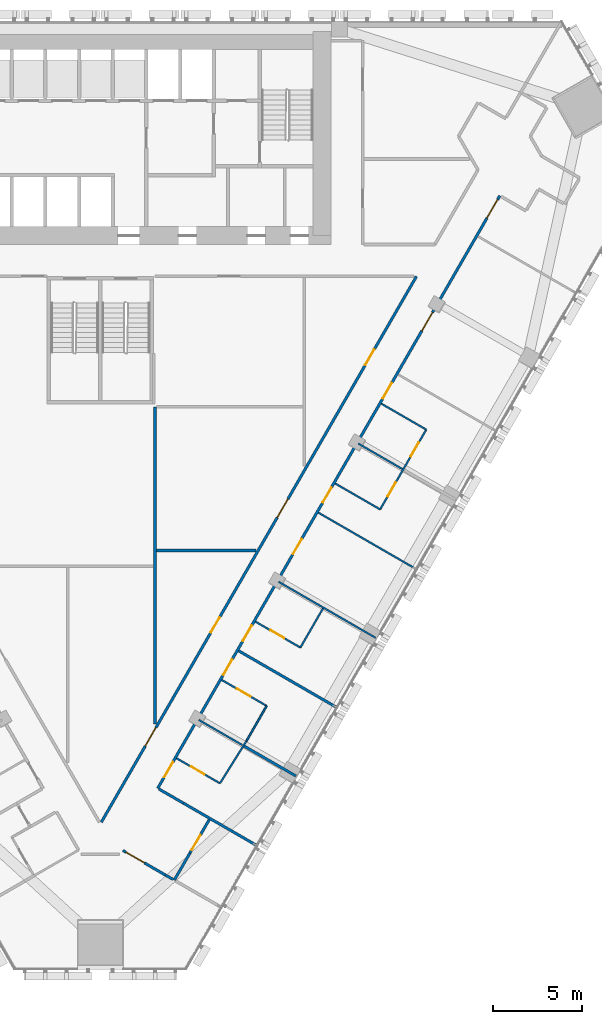
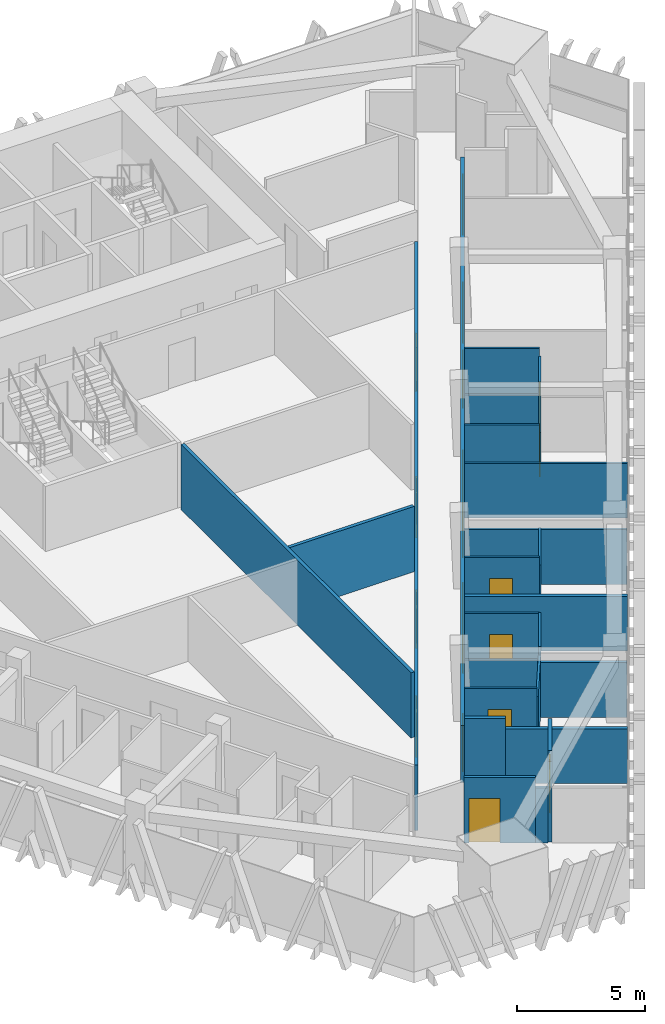
# One storey, part 11 of 18: 25 walls, 19 doors, 19 openings.
"""IFC4 building model written with IfcOpenShell, lengths in metres."""

from ifc_helpers import new_model, si_unit, direction, frame, frame_2d, origin, place, context, subcontext, project, spatial, rectangle, extrude, material, layer, layer_set, type_object, element, fill, save


model = new_model("IFC4")

# Units and contexts
model_context = context("Model", 3, precision=1e-05, world=origin(), true_north=direction((0.0, 1.0)))
body_context = subcontext(model_context, "Body", "Model", "MODEL_VIEW")
ifc_project = project(units=[si_unit("LENGTHUNIT", "METRE"), si_unit("AREAUNIT", "SQUARE_METRE"), si_unit("VOLUMEUNIT", "CUBIC_METRE"), si_unit("PLANEANGLEUNIT", "RADIAN"), si_unit("MASSUNIT", "GRAM", prefix="KILO")], contexts=[model_context])

# Site, building, storey
site_placement = place(None, origin())
site = spatial("IfcSite", under=ifc_project, at=site_placement, CompositionType="ELEMENT")
building_placement = place(site_placement, origin())
building = spatial("IfcBuilding", under=site, at=building_placement, Name="Altiplano Prism Tower", CompositionType="ELEMENT")
storey_placement = place(building_placement, frame((0.0, 0.0, 41.39990234375)))
storey = spatial("IfcBuildingStorey", under=building, at=storey_placement, Name="L09", CompositionType="ELEMENT", Elevation=41.39990234375)

# Wall
ifc_material_1 = material(Name="Plasterboard on steel stud", Category="steel")
ifc_layer_1 = layer(ifc_material_1, 0.10009765625)
ifc_layer_set_1 = layer_set([ifc_layer_1], Name="Plasterboard on steel stud")
wall_type_1 = type_object("IfcWallType", Name="Partition 100 unit", PredefinedType="PARTITIONING", material=ifc_layer_set_1)
wall_1_placement = place(storey_placement, frame((93.235595703125, 64.37255859375, 0.0), z_axis=(0.0, 0.0, 1.0), x_axis=(-0.530664542771, -0.847581938839, 0.0)))
element("IfcWall", 1, at=wall_1_placement, inside=storey, type_object=wall_type_1, Name="Partition P02 L09 085", PredefinedType="PARTITIONING", context=body_context, shape_type="SweptSolid", body=[
    extrude(rectangle(XDim=2.8017578125, YDim=0.10009765625, at=frame_2d((1.40087890625, 0.0))), origin(), (0.0, 0.0, 1.0), 2.7001953125),
])

# Wall, opening, door
wall_2_placement = place(storey_placement, frame((91.748779296875, 61.997802734375, 0.0), z_axis=(0.0, 0.0, 1.0), x_axis=(-0.866048868473, 0.499959355765, 0.0)))
wall_2 = element("IfcWall", 2, at=wall_2_placement, inside=storey, type_object=wall_type_1, Name="Partition P02 L09 086", PredefinedType="PARTITIONING", context=body_context, shape_type="SweptSolid", body=[
    extrude(rectangle(XDim=2.824951171875, YDim=0.10009765625, at=frame_2d((1.41259765625, 0.0))), origin(), (0.0, 0.0, 1.0), 3.10009765625),
])
opening_1_placement = place(wall_2_placement, frame((1.0, 0.0, 0.0)))
opening_1 = element("IfcOpeningElement", 3, at=opening_1_placement, cuts=wall_2, Name="Opening D0347", PredefinedType="OPENING", context=body_context, shape_type="SweptSolid", body=[
    extrude(rectangle(XDim=0.89990234375, YDim=2.10009765625, at=frame_2d((0.449951171875, 1.050048828125))), frame((0.0, 0.060546875, 0.0), z_axis=(0.0, -1.0, 0.0), x_axis=(1.0, 0.0, 0.0)), (0.0, 0.0, 1.0), 0.12109375),
])
ifc_material_2 = material(Name="Timber", Category="wood")
door_type_1 = type_object("IfcDoorType", Name="Ensuite door 900 x 2100", OperationType="NOTDEFINED", PredefinedType="NOTDEFINED", material=ifc_material_2)
door_1_placement = place(opening_1_placement, origin())
door_1 = element("IfcDoor", 4, at=door_1_placement, inside=storey, type_object=door_type_1, Name="Door D0347", OperationType="SINGLE_SWING_LEFT", OverallHeight=2.10009765625, OverallWidth=0.89990234375, PredefinedType="NOTDEFINED", context=body_context, shape_type="SweptSolid", body=[
    extrude(rectangle(XDim=0.89990234375, YDim=2.10009765625, at=frame_2d((0.449951171875, 1.050048828125))), frame((0.0, 0.02490234375, 0.0), z_axis=(0.0, -1.0, 0.0), x_axis=(1.0, 0.0, 0.0)), (0.0, 0.0, 1.0), 0.050048828125),
])
fill(opening_1, door_1)

wall_3_placement = place(storey_placement, frame((91.852294921875, 67.826904296875, 0.0), z_axis=(0.0, 0.0, 1.0), x_axis=(0.866046596414, -0.499963291492, 0.0)))
wall_3 = element("IfcWall", 5, at=wall_3_placement, inside=storey, type_object=wall_type_1, Name="Partition P02 L09 089", PredefinedType="PARTITIONING", context=body_context, shape_type="SweptSolid", body=[
    extrude(rectangle(XDim=2.925048828125, YDim=0.10009765625, at=frame_2d((1.46240234375, 0.0))), origin(), (0.0, 0.0, 1.0), 3.10009765625),
])
opening_2_placement = place(wall_3_placement, frame((0.97509765625, 0.0, 0.0)))
opening_2 = element("IfcOpeningElement", 6, at=opening_2_placement, cuts=wall_3, Name="Opening D0349", PredefinedType="OPENING", context=body_context, shape_type="SweptSolid", body=[
    extrude(rectangle(XDim=0.89990234375, YDim=2.10009765625, at=frame_2d((0.449951171875, 1.050048828125))), frame((0.0, 0.060546875, 0.0), z_axis=(0.0, -1.0, 0.0), x_axis=(1.0, 0.0, 0.0)), (0.0, 0.0, 1.0), 0.12109375),
])
door_2_placement = place(opening_2_placement, origin())
door_2 = element("IfcDoor", 7, at=door_2_placement, inside=storey, type_object=door_type_1, Name="Door D0349", OperationType="SINGLE_SWING_RIGHT", OverallHeight=2.10009765625, OverallWidth=0.89990234375, PredefinedType="NOTDEFINED", context=body_context, shape_type="SweptSolid", body=[
    extrude(rectangle(XDim=0.89990234375, YDim=2.10009765625, at=frame_2d((0.449951171875, 1.050048828125))), frame((0.0, 0.02490234375, 0.0), z_axis=(0.0, -1.0, 0.0), x_axis=(1.0, 0.0, 0.0)), (0.0, 0.0, 1.0), 0.050048828125),
])
fill(opening_2, door_2)

# Walls
wall_4_placement = place(storey_placement, frame((94.385498046875, 66.364501953125, 0.0), z_axis=(0.0, 0.0, 1.0), x_axis=(-0.499952165731, -0.866053019151, 0.0)))
element("IfcWall", 8, at=wall_4_placement, inside=storey, type_object=wall_type_1, Name="Partition P02 L09 090", PredefinedType="PARTITIONING", context=body_context, shape_type="SweptSolid", body=[
    extrude(rectangle(XDim=2.300048828125, YDim=0.10009765625, at=frame_2d((1.14990234375, 0.0))), origin(), (0.0, 0.0, 1.0), 3.10009765625),
])
wall_5_placement = place(storey_placement, frame((97.560546875, 71.86376953125, 0.0), z_axis=(0.0, 0.0, 1.0), x_axis=(-0.500062241894, -0.865989465428, 0.0)))
element("IfcWall", 9, at=wall_5_placement, inside=storey, type_object=wall_type_1, Name="Partition P02 L09 092", PredefinedType="PARTITIONING", context=body_context, shape_type="SweptSolid", body=[
    extrude(rectangle(XDim=2.550048828125, YDim=0.10009765625, at=frame_2d((1.27490234375, 0.0))), origin(), (0.0, 0.0, 1.0), 2.7001953125),
])

# Wall, opening, door
wall_6_placement = place(storey_placement, frame((96.285400390625, 69.655517578125, 0.0), z_axis=(0.0, 0.0, 1.0), x_axis=(-0.866025730634, 0.499999433879, 0.0)))
wall_6 = element("IfcWall", 10, at=wall_6_placement, inside=storey, type_object=wall_type_1, Name="Partition P02 L09 093", PredefinedType="PARTITIONING", context=body_context, shape_type="SweptSolid", body=[
    extrude(rectangle(XDim=2.9248046875, YDim=0.10009765625, at=frame_2d((1.46240234375, 0.0))), origin(), (0.0, 0.0, 1.0), 3.10009765625),
])
opening_3_placement = place(wall_6_placement, frame((1.050048828125, 0.0, 0.0)))
opening_3 = element("IfcOpeningElement", 11, at=opening_3_placement, cuts=wall_6, Name="Opening D0351", PredefinedType="OPENING", context=body_context, shape_type="SweptSolid", body=[
    extrude(rectangle(XDim=0.89990234375, YDim=2.10009765625, at=frame_2d((0.449951171875, 1.050048828125))), frame((0.0, 0.060546875, 0.0), z_axis=(0.0, -1.0, 0.0), x_axis=(1.0, 0.0, 0.0)), (0.0, 0.0, 1.0), 0.12109375),
])
door_3_placement = place(opening_3_placement, origin())
door_3 = element("IfcDoor", 12, at=door_3_placement, inside=storey, type_object=door_type_1, Name="Door D0351", OperationType="SINGLE_SWING_RIGHT", OverallHeight=2.10009765625, OverallWidth=0.89990234375, PredefinedType="NOTDEFINED", context=body_context, shape_type="SweptSolid", body=[
    extrude(rectangle(XDim=0.89990234375, YDim=2.10009765625, at=frame_2d((0.449951171875, 1.050048828125))), frame((0.0, 0.02490234375, 0.0), z_axis=(0.0, -1.0, 0.0), x_axis=(1.0, 0.0, 0.0)), (0.0, 0.0, 1.0), 0.050048828125),
])
fill(opening_3, door_3)

# Walls
wall_7_placement = place(storey_placement, frame((100.785400390625, 77.44970703125, 0.0), z_axis=(0.0, 0.0, 1.0), x_axis=(-0.866025730634, 0.499999433879, 0.0)))
element("IfcWall", 13, at=wall_7_placement, inside=storey, type_object=wall_type_1, Name="Partition P02 L09 096", PredefinedType="PARTITIONING", context=body_context, shape_type="SweptSolid", body=[
    extrude(rectangle(XDim=2.9248046875, YDim=0.10009765625, at=frame_2d((1.46240234375, 0.0))), origin(), (0.0, 0.0, 1.0), 3.10009765625),
])
wall_8_placement = place(storey_placement, frame((100.852294921875, 83.41552734375, 0.0), z_axis=(0.0, 0.0, 1.0), x_axis=(0.86601045545, -0.500025890382, 0.0)))
element("IfcWall", 14, at=wall_8_placement, inside=storey, type_object=wall_type_1, Name="Partition P02 L09 099", PredefinedType="PARTITIONING", context=body_context, shape_type="SweptSolid", body=[
    extrude(rectangle(XDim=2.925048828125, YDim=0.10009765625, at=frame_2d((1.46240234375, 0.0))), origin(), (0.0, 0.0, 1.0), 3.10009765625),
])

# Wall, openings, doors
wall_9_placement = place(storey_placement, frame((103.385498046875, 81.952880859375, 0.0), z_axis=(0.0, 0.0, 1.0), x_axis=(-0.500027264788, -0.866009661879, 0.0)))
wall_9 = element("IfcWall", 15, at=wall_9_placement, inside=storey, type_object=wall_type_1, Name="Partition P02 L09 100", PredefinedType="PARTITIONING", context=body_context, shape_type="SweptSolid", body=[
    extrude(rectangle(XDim=5.199951171875, YDim=0.10009765625, at=frame_2d((2.60009765625, 0.0))), origin(), (0.0, 0.0, 1.0), 2.7001953125),
])
opening_4_placement = place(wall_9_placement, frame((3.449951171875, 0.0, 0.0)))
opening_4 = element("IfcOpeningElement", 16, at=opening_4_placement, cuts=wall_9, Name="Opening D0354", PredefinedType="OPENING", context=body_context, shape_type="SweptSolid", body=[
    extrude(rectangle(XDim=0.89990234375, YDim=2.10009765625, at=frame_2d((0.449951171875, 1.050048828125))), frame((0.0, 0.060546875, 0.0), z_axis=(0.0, -1.0, 0.0), x_axis=(1.0, 0.0, 0.0)), (0.0, 0.0, 1.0), 0.12109375),
])
opening_5_placement = place(wall_9_placement, frame((0.85009765625, 0.0, 0.0)))
opening_5 = element("IfcOpeningElement", 17, at=opening_5_placement, cuts=wall_9, Name="Opening D0356", PredefinedType="OPENING", context=body_context, shape_type="SweptSolid", body=[
    extrude(rectangle(XDim=0.89990234375, YDim=2.10009765625, at=frame_2d((0.449951171875, 1.050048828125))), frame((0.0, 0.060546875, 0.0), z_axis=(0.0, -1.0, 0.0), x_axis=(1.0, 0.0, 0.0)), (0.0, 0.0, 1.0), 0.12109375),
])
door_4_placement = place(opening_4_placement, origin())
door_4 = element("IfcDoor", 18, at=door_4_placement, inside=storey, type_object=door_type_1, Name="Door D0354", OperationType="SINGLE_SWING_LEFT", OverallHeight=2.10009765625, OverallWidth=0.89990234375, PredefinedType="NOTDEFINED", context=body_context, shape_type="SweptSolid", body=[
    extrude(rectangle(XDim=0.89990234375, YDim=2.10009765625, at=frame_2d((0.449951171875, 1.050048828125))), frame((0.0, 0.02490234375, 0.0), z_axis=(0.0, -1.0, 0.0), x_axis=(1.0, 0.0, 0.0)), (0.0, 0.0, 1.0), 0.050048828125),
])
fill(opening_4, door_4)
door_5_placement = place(opening_5_placement, origin())
door_5 = element("IfcDoor", 19, at=door_5_placement, inside=storey, type_object=door_type_1, Name="Door D0356", OperationType="SINGLE_SWING_RIGHT", OverallHeight=2.10009765625, OverallWidth=0.89990234375, PredefinedType="NOTDEFINED", context=body_context, shape_type="SweptSolid", body=[
    extrude(rectangle(XDim=0.89990234375, YDim=2.10009765625, at=frame_2d((0.449951171875, 1.050048828125))), frame((0.0, 0.02490234375, 0.0), z_axis=(0.0, -1.0, 0.0), x_axis=(1.0, 0.0, 0.0)), (0.0, 0.0, 1.0), 0.050048828125),
])
fill(opening_5, door_5)

# Walls
ifc_layer_2 = layer(ifc_material_1, 0.10009765625)
ifc_layer_set_2 = layer_set([ifc_layer_2], Name="Plasterboard on steel stud")
wall_type_2 = type_object("IfcWallType", Name="Partition 100 wet", PredefinedType="PARTITIONING", material=ifc_layer_set_2)
wall_10_placement = place(storey_placement, frame((93.01611328125, 64.15283203125, 0.0), z_axis=(0.0, 0.0, 1.0), x_axis=(-0.866011243319, 0.500024525844, 0.0)))
element("IfcWall", 20, at=wall_10_placement, inside=storey, type_object=wall_type_2, Name="Partition P03 L09 088", PredefinedType="PARTITIONING", context=body_context, shape_type="SweptSolid", body=[
    extrude(rectangle(XDim=2.844970703125, YDim=0.10009765625, at=frame_2d((1.42236328125, 0.0))), origin(), (0.0, 0.0, 1.0), 2.7001953125),
])
wall_11_placement = place(storey_placement, frame((100.530029296875, 70.20703125, 0.0), z_axis=(0.0, 0.0, 1.0), x_axis=(-0.866025537322, 0.499999768706, 0.0)))
element("IfcWall", 21, at=wall_11_placement, inside=storey, type_object=wall_type_2, Name="Partition P03 L09 094", PredefinedType="PARTITIONING", context=body_context, shape_type="SweptSolid", body=[
    extrude(rectangle(XDim=6.3251953125, YDim=0.10009765625, at=frame_2d((3.16259765625, 0.0))), origin(), (0.0, 0.0, 1.0), 2.60009765625),
])
wall_12_placement = place(storey_placement, frame((102.79736328125, 74.093994140625, 0.0), z_axis=(0.0, 0.0, 1.0), x_axis=(-0.866025401434, 0.500000004071, 0.0)))
element("IfcWall", 22, at=wall_12_placement, inside=storey, type_object=wall_type_2, Name="Partition P03 L09 095", PredefinedType="PARTITIONING", context=body_context, shape_type="SweptSolid", body=[
    extrude(rectangle(XDim=6.34521484375, YDim=0.10009765625, at=frame_2d((3.172607421875, 0.0))), origin(), (0.0, 0.0, 1.0), 2.60009765625),
])
wall_13_placement = place(storey_placement, frame((102.042236328125, 79.726318359375, 0.0), z_axis=(0.0, 0.0, 1.0), x_axis=(-0.866018712932, 0.500011588718, 0.0)))
element("IfcWall", 23, at=wall_13_placement, inside=storey, type_object=wall_type_2, Name="Partition P03 L09 098", PredefinedType="PARTITIONING", context=body_context, shape_type="SweptSolid", body=[
    extrude(rectangle(XDim=2.875, YDim=0.10009765625, at=frame_2d((1.4375, 0.0))), origin(), (0.0, 0.0, 1.0), 2.7001953125),
])

# Wall, opening, door
ifc_layer_3 = layer(ifc_material_1, 0.14990234375)
ifc_layer_set_3 = layer_set([ifc_layer_3], Name="Plasterboard on steel stud")
wall_type_3 = type_object("IfcWallType", Name="Partition 150 corridor", PredefinedType="PARTITIONING", material=ifc_layer_set_3)
wall_14_placement = place(storey_placement, frame((86.2705078125, 58.208740234375, 0.0), z_axis=(0.0, 0.0, 1.0), x_axis=(0.866024034475, -0.500002371706, 0.0)))
wall_14 = element("IfcWall", 24, at=wall_14_placement, inside=storey, type_object=wall_type_3, Name="Partition P06 L09 019", PredefinedType="PARTITIONING", context=body_context, shape_type="SweptSolid", body=[
    extrude(rectangle(XDim=2.79345703125, YDim=0.14990234375, at=frame_2d((1.396728515625, 0.0))), origin(), (0.0, 0.0, 1.0), 3.10009765625),
])
opening_6_placement = place(wall_14_placement, frame((0.199951171875, 0.0, 0.0)))
opening_6 = element("IfcOpeningElement", 25, at=opening_6_placement, cuts=wall_14, Name="Opening D0344", PredefinedType="OPENING", context=body_context, shape_type="SweptSolid", body=[
    extrude(rectangle(XDim=1.199951171875, YDim=2.10009765625, at=frame_2d((0.60009765625, 1.050048828125))), frame((0.0, 0.08544921875, 0.0), z_axis=(0.0, -1.0, 0.0), x_axis=(1.0, 0.0, 0.0)), (0.0, 0.0, 1.0), 0.1708984375),
])
door_type_2 = type_object("IfcDoorType", Name="Shared room door 1200 x 2100", OperationType="NOTDEFINED", PredefinedType="NOTDEFINED", material=ifc_material_2)
door_6_placement = place(opening_6_placement, origin())
door_6 = element("IfcDoor", 26, at=door_6_placement, inside=storey, type_object=door_type_2, Name="Door D0344", OperationType="SINGLE_SWING_LEFT", OverallHeight=2.10009765625, OverallWidth=1.199951171875, PredefinedType="NOTDEFINED", context=body_context, shape_type="SweptSolid", body=[
    extrude(rectangle(XDim=1.199951171875, YDim=2.10009765625, at=frame_2d((0.60009765625, 1.050048828125))), frame((0.0, 0.02490234375, 0.0), z_axis=(0.0, -1.0, 0.0), x_axis=(1.0, 0.0, 0.0)), (0.0, 0.0, 1.0), 0.050048828125),
])
fill(opening_6, door_6)

# Walls
wall_15_placement = place(storey_placement, frame((88.689697265625, 56.81201171875, 0.0), z_axis=(0.0, 0.0, 1.0), x_axis=(0.86605048973, -0.49995654735, 0.0)))
element("IfcWall", 27, at=wall_15_placement, inside=storey, type_object=wall_type_3, Name="Partition P06 L09 020", PredefinedType="PARTITIONING", context=body_context, shape_type="SweptSolid", body=[
    extrude(rectangle(XDim=0.4814453125, YDim=0.14990234375, at=frame_2d((0.24072265625, 0.0))), origin(), (0.0, 0.0, 1.0), 2.60009765625),
])
wall_16_placement = place(storey_placement, frame((89.171630859375, 56.533935546875, 0.0), z_axis=(0.0, 0.0, 1.0), x_axis=(0.499991926948, 0.866030064713, 0.0)))
element("IfcWall", 28, at=wall_16_placement, inside=storey, type_object=wall_type_3, Name="Partition P06 L09 021", PredefinedType="PARTITIONING", context=body_context, shape_type="SweptSolid", body=[
    extrude(rectangle(XDim=1.75146484375, YDim=0.14990234375, at=frame_2d((0.875732421875, 0.0))), origin(), (0.0, 0.0, 1.0), 2.60009765625),
])

# Wall, opening, door
wall_17_placement = place(storey_placement, frame((90.04736328125, 58.05078125, 0.0), z_axis=(0.0, 0.0, 1.0), x_axis=(0.500005024956, 0.866022502605, 0.0)))
wall_17 = element("IfcWall", 29, at=wall_17_placement, inside=storey, type_object=wall_type_3, Name="Partition P06 L09 022", PredefinedType="PARTITIONING", context=body_context, shape_type="SweptSolid", body=[
    extrude(rectangle(XDim=2.19384765625, YDim=0.14990234375, at=frame_2d((1.096923828125, 0.0))), origin(), (0.0, 0.0, 1.0), 3.10009765625),
])
opening_7_placement = place(wall_17_placement, frame((0.199951171875, 0.0, 0.0)))
opening_7 = element("IfcOpeningElement", 30, at=opening_7_placement, cuts=wall_17, Name="Opening D0345", PredefinedType="OPENING", context=body_context, shape_type="SweptSolid", body=[
    extrude(rectangle(XDim=1.0, YDim=2.10009765625, at=frame_2d((0.5, 1.050048828125))), frame((0.0, 0.08544921875, 0.0), z_axis=(0.0, -1.0, 0.0), x_axis=(1.0, 0.0, 0.0)), (0.0, 0.0, 1.0), 0.1708984375),
])
door_type_3 = type_object("IfcDoorType", Name="Room door 1000 x 2100", OperationType="NOTDEFINED", PredefinedType="NOTDEFINED", material=ifc_material_2)
door_7_placement = place(opening_7_placement, origin())
door_7 = element("IfcDoor", 31, at=door_7_placement, inside=storey, type_object=door_type_3, Name="Door D0345", OperationType="SINGLE_SWING_RIGHT", OverallHeight=2.10009765625, OverallWidth=1.0, PredefinedType="NOTDEFINED", context=body_context, shape_type="SweptSolid", body=[
    extrude(rectangle(XDim=1.0, YDim=2.10009765625, at=frame_2d((0.5, 1.050048828125))), frame((0.0, 0.02490234375, 0.0), z_axis=(0.0, -1.0, 0.0), x_axis=(1.0, 0.0, 0.0)), (0.0, 0.0, 1.0), 0.050048828125),
])
fill(opening_7, door_7)

# Wall
wall_18_placement = place(storey_placement, frame((89.6923828125, 60.875732421875, 0.0), z_axis=(0.0, 0.0, 1.0), x_axis=(-0.866053882819, 0.499950669621, 0.0)))
element("IfcWall", 32, at=wall_18_placement, inside=storey, type_object=wall_type_3, Name="Partition P06 L09 023", PredefinedType="PARTITIONING", context=body_context, shape_type="SweptSolid", body=[
    extrude(rectangle(XDim=1.605224609375, YDim=0.14990234375, at=frame_2d((0.802734375, 0.0))), origin(), (0.0, 0.0, 1.0), 3.10009765625),
])

# Wall, openings, doors
wall_19_placement = place(storey_placement, frame((88.2373046875, 61.7158203125, 0.0), z_axis=(0.0, 0.0, 1.0), x_axis=(0.500002225217, 0.866024119051, 0.0)))
wall_19 = element("IfcWall", 33, at=wall_19_placement, inside=storey, type_object=wall_type_3, Name="Partition P06 L09 024", PredefinedType="PARTITIONING", context=body_context, shape_type="SweptSolid", body=[
    extrude(rectangle(XDim=38.599853515625, YDim=0.14990234375, at=frame_2d((19.2998046875, 0.0))), origin(), (0.0, 0.0, 1.0), 2.7001953125),
])
opening_8_placement = place(wall_19_placement, frame((0.719970703125, 0.0, 0.0)))
opening_8 = element("IfcOpeningElement", 34, at=opening_8_placement, cuts=wall_19, Name="Opening D0346", PredefinedType="OPENING", context=body_context, shape_type="SweptSolid", body=[
    extrude(rectangle(XDim=1.0, YDim=2.10009765625, at=frame_2d((0.5, 1.050048828125))), frame((0.0, 0.08544921875, 0.0), z_axis=(0.0, -1.0, 0.0), x_axis=(1.0, 0.0, 0.0)), (0.0, 0.0, 1.0), 0.1708984375),
])
opening_9_placement = place(wall_19_placement, frame((7.39501953125, 0.0, 0.0)))
opening_9 = element("IfcOpeningElement", 35, at=opening_9_placement, cuts=wall_19, Name="Opening D0348", PredefinedType="OPENING", context=body_context, shape_type="SweptSolid", body=[
    extrude(rectangle(XDim=1.0, YDim=2.10009765625, at=frame_2d((0.5, 1.050048828125))), frame((0.0, 0.08544921875, 0.0), z_axis=(0.0, -1.0, 0.0), x_axis=(1.0, 0.0, 0.0)), (0.0, 0.0, 1.0), 0.1708984375),
])
opening_10_placement = place(wall_19_placement, frame((9.60498046875, 0.0, 0.0)))
opening_10 = element("IfcOpeningElement", 36, at=opening_10_placement, cuts=wall_19, Name="Opening D0350", PredefinedType="OPENING", context=body_context, shape_type="SweptSolid", body=[
    extrude(rectangle(XDim=1.0, YDim=2.10009765625, at=frame_2d((0.5, 1.050048828125))), frame((0.0, 0.08544921875, 0.0), z_axis=(0.0, -1.0, 0.0), x_axis=(1.0, 0.0, 0.0)), (0.0, 0.0, 1.0), 0.1708984375),
])
opening_11_placement = place(wall_19_placement, frame((15.25, 0.0, 0.0)))
opening_11 = element("IfcOpeningElement", 37, at=opening_11_placement, cuts=wall_19, Name="Opening D0352", PredefinedType="OPENING", context=body_context, shape_type="SweptSolid", body=[
    extrude(rectangle(XDim=1.0, YDim=2.10009765625, at=frame_2d((0.5, 1.050048828125))), frame((0.0, 0.08544921875, 0.0), z_axis=(0.0, -1.0, 0.0), x_axis=(1.0, 0.0, 0.0)), (0.0, 0.0, 1.0), 0.1708984375),
])
opening_12_placement = place(wall_19_placement, frame((18.60498046875, 0.0, 0.0)))
opening_12 = element("IfcOpeningElement", 38, at=opening_12_placement, cuts=wall_19, Name="Opening D0353", PredefinedType="OPENING", context=body_context, shape_type="SweptSolid", body=[
    extrude(rectangle(XDim=1.0, YDim=2.10009765625, at=frame_2d((0.5, 1.050048828125))), frame((0.0, 0.08544921875, 0.0), z_axis=(0.0, -1.0, 0.0), x_axis=(1.0, 0.0, 0.0)), (0.0, 0.0, 1.0), 0.1708984375),
])
opening_13_placement = place(wall_19_placement, frame((25.39501953125, 0.0, 0.0)))
opening_13 = element("IfcOpeningElement", 39, at=opening_13_placement, cuts=wall_19, Name="Opening D0355", PredefinedType="OPENING", context=body_context, shape_type="SweptSolid", body=[
    extrude(rectangle(XDim=1.0, YDim=2.10009765625, at=frame_2d((0.5, 1.050048828125))), frame((0.0, 0.08544921875, 0.0), z_axis=(0.0, -1.0, 0.0), x_axis=(1.0, 0.0, 0.0)), (0.0, 0.0, 1.0), 0.1708984375),
])
opening_14_placement = place(wall_19_placement, frame((29.800048828125, 0.0, 0.0)))
opening_14 = element("IfcOpeningElement", 40, at=opening_14_placement, cuts=wall_19, Name="Opening D0357", PredefinedType="OPENING", context=body_context, shape_type="SweptSolid", body=[
    extrude(rectangle(XDim=1.199951171875, YDim=2.10009765625, at=frame_2d((0.60009765625, 1.050048828125))), frame((0.0, 0.08544921875, 0.0), z_axis=(0.0, -1.0, 0.0), x_axis=(1.0, 0.0, 0.0)), (0.0, 0.0, 1.0), 0.1708984375),
])
opening_15_placement = place(wall_19_placement, frame((37.14501953125, 0.0, 0.0)))
opening_15 = element("IfcOpeningElement", 41, at=opening_15_placement, cuts=wall_19, Name="Opening D0358", PredefinedType="OPENING", context=body_context, shape_type="SweptSolid", body=[
    extrude(rectangle(XDim=1.199951171875, YDim=2.10009765625, at=frame_2d((0.60009765625, 1.050048828125))), frame((0.0, 0.08544921875, 0.0), z_axis=(0.0, -1.0, 0.0), x_axis=(1.0, 0.0, 0.0)), (0.0, 0.0, 1.0), 0.1708984375),
])
door_type_4 = type_object("IfcDoorType", Name="Bedroom entrance door 1000 x 2100", OperationType="NOTDEFINED", PredefinedType="NOTDEFINED", material=ifc_material_2)
door_8_placement = place(opening_8_placement, origin())
door_8 = element("IfcDoor", 42, at=door_8_placement, inside=storey, type_object=door_type_4, Name="Door D0346", OperationType="SINGLE_SWING_LEFT", OverallHeight=2.10009765625, OverallWidth=1.0, PredefinedType="NOTDEFINED", context=body_context, shape_type="SweptSolid", body=[
    extrude(rectangle(XDim=1.0, YDim=2.10009765625, at=frame_2d((0.5, 1.050048828125))), frame((0.0, 0.02490234375, 0.0), z_axis=(0.0, -1.0, 0.0), x_axis=(1.0, 0.0, 0.0)), (0.0, 0.0, 1.0), 0.050048828125),
])
fill(opening_8, door_8)
door_9_placement = place(opening_9_placement, origin())
door_9 = element("IfcDoor", 43, at=door_9_placement, inside=storey, type_object=door_type_4, Name="Door D0348", OperationType="SINGLE_SWING_RIGHT", OverallHeight=2.10009765625, OverallWidth=1.0, PredefinedType="NOTDEFINED", context=body_context, shape_type="SweptSolid", body=[
    extrude(rectangle(XDim=1.0, YDim=2.10009765625, at=frame_2d((0.5, 1.050048828125))), frame((0.0, 0.02490234375, 0.0), z_axis=(0.0, -1.0, 0.0), x_axis=(1.0, 0.0, 0.0)), (0.0, 0.0, 1.0), 0.050048828125),
])
fill(opening_9, door_9)
door_10_placement = place(opening_10_placement, origin())
door_10 = element("IfcDoor", 44, at=door_10_placement, inside=storey, type_object=door_type_4, Name="Door D0350", OperationType="SINGLE_SWING_RIGHT", OverallHeight=2.10009765625, OverallWidth=1.0, PredefinedType="NOTDEFINED", context=body_context, shape_type="SweptSolid", body=[
    extrude(rectangle(XDim=1.0, YDim=2.10009765625, at=frame_2d((0.5, 1.050048828125))), frame((0.0, 0.02490234375, 0.0), z_axis=(0.0, -1.0, 0.0), x_axis=(1.0, 0.0, 0.0)), (0.0, 0.0, 1.0), 0.050048828125),
])
fill(opening_10, door_10)
door_11_placement = place(opening_12_placement, origin())
door_11 = element("IfcDoor", 45, at=door_11_placement, inside=storey, type_object=door_type_4, Name="Door D0353", OperationType="SINGLE_SWING_LEFT", OverallHeight=2.10009765625, OverallWidth=1.0, PredefinedType="NOTDEFINED", context=body_context, shape_type="SweptSolid", body=[
    extrude(rectangle(XDim=1.0, YDim=2.10009765625, at=frame_2d((0.5, 1.050048828125))), frame((0.0, 0.02490234375, 0.0), z_axis=(0.0, -1.0, 0.0), x_axis=(1.0, 0.0, 0.0)), (0.0, 0.0, 1.0), 0.050048828125),
])
fill(opening_12, door_11)
door_12_placement = place(opening_13_placement, origin())
door_12 = element("IfcDoor", 46, at=door_12_placement, inside=storey, type_object=door_type_4, Name="Door D0355", OperationType="SINGLE_SWING_LEFT", OverallHeight=2.10009765625, OverallWidth=1.0, PredefinedType="NOTDEFINED", context=body_context, shape_type="SweptSolid", body=[
    extrude(rectangle(XDim=1.0, YDim=2.10009765625, at=frame_2d((0.5, 1.050048828125))), frame((0.0, 0.02490234375, 0.0), z_axis=(0.0, -1.0, 0.0), x_axis=(1.0, 0.0, 0.0)), (0.0, 0.0, 1.0), 0.050048828125),
])
fill(opening_13, door_12)
door_13_placement = place(opening_11_placement, origin())
door_13 = element("IfcDoor", 47, at=door_13_placement, inside=storey, type_object=door_type_3, Name="Door D0352", OperationType="SINGLE_SWING_RIGHT", OverallHeight=2.10009765625, OverallWidth=1.0, PredefinedType="NOTDEFINED", context=body_context, shape_type="SweptSolid", body=[
    extrude(rectangle(XDim=1.0, YDim=2.10009765625, at=frame_2d((0.5, 1.050048828125))), frame((0.0, 0.02490234375, 0.0), z_axis=(0.0, -1.0, 0.0), x_axis=(1.0, 0.0, 0.0)), (0.0, 0.0, 1.0), 0.050048828125),
])
fill(opening_11, door_13)
door_14_placement = place(opening_14_placement, origin())
door_14 = element("IfcDoor", 48, at=door_14_placement, inside=storey, type_object=door_type_2, Name="Door D0357", OperationType="SINGLE_SWING_RIGHT", OverallHeight=2.10009765625, OverallWidth=1.199951171875, PredefinedType="NOTDEFINED", context=body_context, shape_type="SweptSolid", body=[
    extrude(rectangle(XDim=1.199951171875, YDim=2.10009765625, at=frame_2d((0.60009765625, 1.050048828125))), frame((0.0, 0.02490234375, 0.0), z_axis=(0.0, -1.0, 0.0), x_axis=(1.0, 0.0, 0.0)), (0.0, 0.0, 1.0), 0.050048828125),
])
fill(opening_14, door_14)
door_15_placement = place(opening_15_placement, origin())
door_15 = element("IfcDoor", 49, at=door_15_placement, inside=storey, type_object=door_type_2, Name="Door D0358", OperationType="SINGLE_SWING_RIGHT", OverallHeight=2.10009765625, OverallWidth=1.199951171875, PredefinedType="NOTDEFINED", context=body_context, shape_type="SweptSolid", body=[
    extrude(rectangle(XDim=1.199951171875, YDim=2.10009765625, at=frame_2d((0.60009765625, 1.050048828125))), frame((0.0, 0.02490234375, 0.0), z_axis=(0.0, -1.0, 0.0), x_axis=(1.0, 0.0, 0.0)), (0.0, 0.0, 1.0), 0.050048828125),
])
fill(opening_15, door_15)

wall_20_placement = place(storey_placement, frame((102.835205078125, 90.60009765625, 0.0), z_axis=(0.0, 0.0, 1.0), x_axis=(-0.49999562485, -0.866027929764, 0.0)))
wall_20 = element("IfcWall", 50, at=wall_20_placement, inside=storey, type_object=wall_type_3, Name="Partition P06 L09 043", PredefinedType="PARTITIONING", context=body_context, shape_type="SweptSolid", body=[
    extrude(rectangle(XDim=35.561279296875, YDim=0.14990234375, at=frame_2d((17.78076171875, 0.0))), origin(), (0.0, 0.0, 1.0), 3.10009765625),
])
opening_16_placement = place(wall_20_placement, frame((14.506103515625, 0.0, 0.0)))
opening_16 = element("IfcOpeningElement", 51, at=opening_16_placement, cuts=wall_20, Name="Opening D0361", PredefinedType="OPENING", context=body_context, shape_type="SweptSolid", body=[
    extrude(rectangle(XDim=1.199951171875, YDim=2.10009765625, at=frame_2d((0.60009765625, 1.050048828125))), frame((0.0, 0.08544921875, 0.0), z_axis=(0.0, -1.0, 0.0), x_axis=(1.0, 0.0, 0.0)), (0.0, 0.0, 1.0), 0.1708984375),
])
opening_17_placement = place(wall_20_placement, frame((29.404052734375, 0.0, 0.0)))
opening_17 = element("IfcOpeningElement", 52, at=opening_17_placement, cuts=wall_20, Name="Opening D0363", PredefinedType="OPENING", context=body_context, shape_type="SweptSolid", body=[
    extrude(rectangle(XDim=1.199951171875, YDim=2.10009765625, at=frame_2d((0.60009765625, 1.050048828125))), frame((0.0, 0.08544921875, 0.0), z_axis=(0.0, -1.0, 0.0), x_axis=(1.0, 0.0, 0.0)), (0.0, 0.0, 1.0), 0.1708984375),
])
opening_18_placement = place(wall_20_placement, frame((4.779052734375, 0.0, 0.0)))
opening_18 = element("IfcOpeningElement", 53, at=opening_18_placement, cuts=wall_20, Name="Opening D0367", PredefinedType="OPENING", context=body_context, shape_type="SweptSolid", body=[
    extrude(rectangle(XDim=1.0, YDim=2.10009765625, at=frame_2d((0.5, 1.050048828125))), frame((0.0, 0.08544921875, 0.0), z_axis=(0.0, -1.0, 0.0), x_axis=(1.0, 0.0, 0.0)), (0.0, 0.0, 1.0), 0.1708984375),
])
opening_19_placement = place(wall_20_placement, frame((22.2119140625, 0.0, 0.0)))
opening_19 = element("IfcOpeningElement", 54, at=opening_19_placement, cuts=wall_20, Name="Opening D0368", PredefinedType="OPENING", context=body_context, shape_type="SweptSolid", body=[
    extrude(rectangle(XDim=1.0, YDim=2.10009765625, at=frame_2d((0.5, 1.050048828125))), frame((0.0, 0.08544921875, 0.0), z_axis=(0.0, -1.0, 0.0), x_axis=(1.0, 0.0, 0.0)), (0.0, 0.0, 1.0), 0.1708984375),
])
door_16_placement = place(opening_18_placement, origin())
door_16 = element("IfcDoor", 55, at=door_16_placement, inside=storey, type_object=door_type_3, Name="Door D0367", OperationType="SINGLE_SWING_RIGHT", OverallHeight=2.10009765625, OverallWidth=1.0, PredefinedType="NOTDEFINED", context=body_context, shape_type="SweptSolid", body=[
    extrude(rectangle(XDim=1.0, YDim=2.10009765625, at=frame_2d((0.5, 1.050048828125))), frame((0.0, 0.02490234375, 0.0), z_axis=(0.0, -1.0, 0.0), x_axis=(1.0, 0.0, 0.0)), (0.0, 0.0, 1.0), 0.050048828125),
])
fill(opening_18, door_16)
door_17_placement = place(opening_16_placement, origin())
door_17 = element("IfcDoor", 56, at=door_17_placement, inside=storey, type_object=door_type_2, Name="Door D0361", OperationType="SINGLE_SWING_RIGHT", OverallHeight=2.10009765625, OverallWidth=1.199951171875, PredefinedType="NOTDEFINED", context=body_context, shape_type="SweptSolid", body=[
    extrude(rectangle(XDim=1.199951171875, YDim=2.10009765625, at=frame_2d((0.60009765625, 1.050048828125))), frame((0.0, 0.02490234375, 0.0), z_axis=(0.0, -1.0, 0.0), x_axis=(1.0, 0.0, 0.0)), (0.0, 0.0, 1.0), 0.050048828125),
])
fill(opening_16, door_17)
door_18_placement = place(opening_17_placement, origin())
door_18 = element("IfcDoor", 57, at=door_18_placement, inside=storey, type_object=door_type_2, Name="Door D0363", OperationType="SINGLE_SWING_LEFT", OverallHeight=2.10009765625, OverallWidth=1.199951171875, PredefinedType="NOTDEFINED", context=body_context, shape_type="SweptSolid", body=[
    extrude(rectangle(XDim=1.199951171875, YDim=2.10009765625, at=frame_2d((0.60009765625, 1.050048828125))), frame((0.0, 0.02490234375, 0.0), z_axis=(0.0, -1.0, 0.0), x_axis=(1.0, 0.0, 0.0)), (0.0, 0.0, 1.0), 0.050048828125),
])
fill(opening_17, door_18)
door_type_5 = type_object("IfcDoorType", Name="Store door 1000 x 2100", OperationType="NOTDEFINED", PredefinedType="NOTDEFINED", material=ifc_material_2)
door_19_placement = place(opening_19_placement, origin())
door_19 = element("IfcDoor", 58, at=door_19_placement, inside=storey, type_object=door_type_5, Name="Door D0368", OperationType="SINGLE_SWING_LEFT", OverallHeight=2.10009765625, OverallWidth=1.0, PredefinedType="NOTDEFINED", context=body_context, shape_type="SweptSolid", body=[
    extrude(rectangle(XDim=1.0, YDim=2.10009765625, at=frame_2d((0.5, 1.050048828125))), frame((0.0, 0.02490234375, 0.0), z_axis=(0.0, -1.0, 0.0), x_axis=(1.0, 0.0, 0.0)), (0.0, 0.0, 1.0), 0.050048828125),
])
fill(opening_19, door_19)

# Walls
wall_21_placement = place(storey_placement, frame((93.79736328125, 58.505615234375, 0.0), z_axis=(0.0, 0.0, 1.0), x_axis=(-0.866015756104, 0.5000167099, 0.0)))
element("IfcWall", 59, at=wall_21_placement, inside=storey, type_object=wall_type_3, Name="Partition P06 L09 084", PredefinedType="PARTITIONING", context=body_context, shape_type="SweptSolid", body=[
    extrude(rectangle(XDim=4.739990234375, YDim=0.14990234375, at=frame_2d((2.3701171875, 0.0))), origin(), (0.0, 0.0, 1.0), 2.60009765625),
])
ifc_layer_4 = layer(ifc_material_1, 0.14990234375)
ifc_layer_set_4 = layer_set([ifc_layer_4], Name="Plasterboard on steel stud")
wall_type_4 = type_object("IfcWallType", Name="Partition 150 party", PredefinedType="PARTITIONING", material=ifc_layer_set_4)
wall_22_placement = place(storey_placement, frame((96.030029296875, 62.412841796875, 0.0), z_axis=(0.0, 0.0, 1.0), x_axis=(-0.866038511948, 0.499977295307, 0.0)))
element("IfcWall", 60, at=wall_22_placement, inside=storey, type_object=wall_type_4, Name="Partition P01 L09 087", PredefinedType="PARTITIONING", context=body_context, shape_type="SweptSolid", body=[
    extrude(rectangle(XDim=3.400146484375, YDim=0.14990234375, at=frame_2d((1.7001953125, 0.0))), origin(), (0.0, 0.0, 1.0), 2.60009765625),
])
wall_23_placement = place(storey_placement, frame((98.29736328125, 66.2998046875, 0.0), z_axis=(0.0, 0.0, 1.0), x_axis=(-0.866025401434, 0.500000004071, 0.0)))
element("IfcWall", 61, at=wall_23_placement, inside=storey, type_object=wall_type_4, Name="Partition P01 L09 091", PredefinedType="PARTITIONING", context=body_context, shape_type="SweptSolid", body=[
    extrude(rectangle(XDim=6.34521484375, YDim=0.14990234375, at=frame_2d((3.172607421875, 0.0))), origin(), (0.0, 0.0, 1.0), 2.60009765625),
])
wall_24_placement = place(storey_placement, frame((88.1591796875, 75.130126953125, 0.0), z_axis=(0.0, 0.0, 1.0), x_axis=(1.0, 0.0, 0.0)))
element("IfcWall", 62, at=wall_24_placement, inside=storey, type_object=wall_type_4, Name="Partition P01 L09 110", PredefinedType="PARTITIONING", context=body_context, shape_type="SweptSolid", body=[
    extrude(rectangle(XDim=5.614501953125, YDim=0.14990234375, at=frame_2d((2.80712890625, 0.0))), origin(), (0.0, 0.0, 1.0), 3.10009765625),
])
wall_25_placement = place(storey_placement, frame((88.084228515625, 65.330322265625, 0.0), z_axis=(0.0, 0.0, 1.0), x_axis=(0.0, 1.0, 0.0)))
element("IfcWall", 63, at=wall_25_placement, inside=storey, type_object=wall_type_4, Name="Partition P01 L09 113", PredefinedType="PARTITIONING", context=body_context, shape_type="SweptSolid", body=[
    extrude(rectangle(XDim=17.90966796875, YDim=0.14990234375, at=frame_2d((8.954833984375, 0.0))), origin(), (0.0, 0.0, 1.0), 3.10009765625),
])

save(model, "model.ifc")
